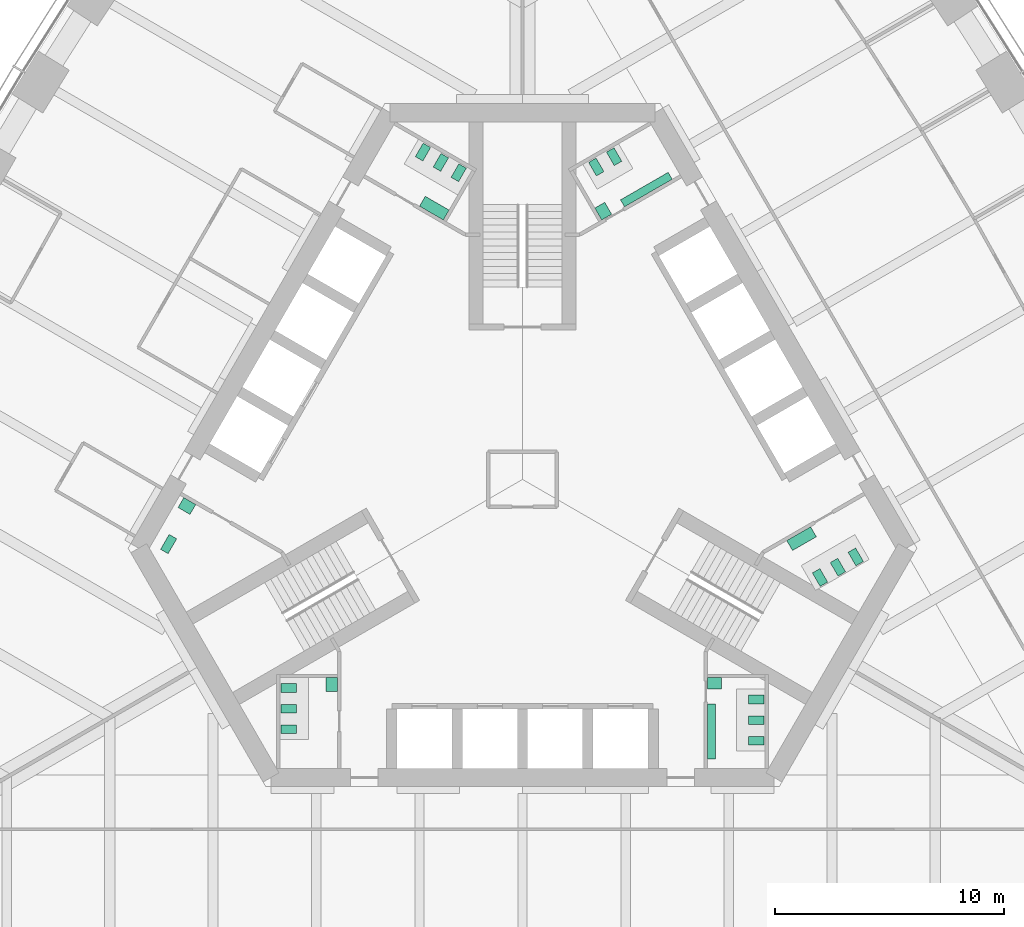
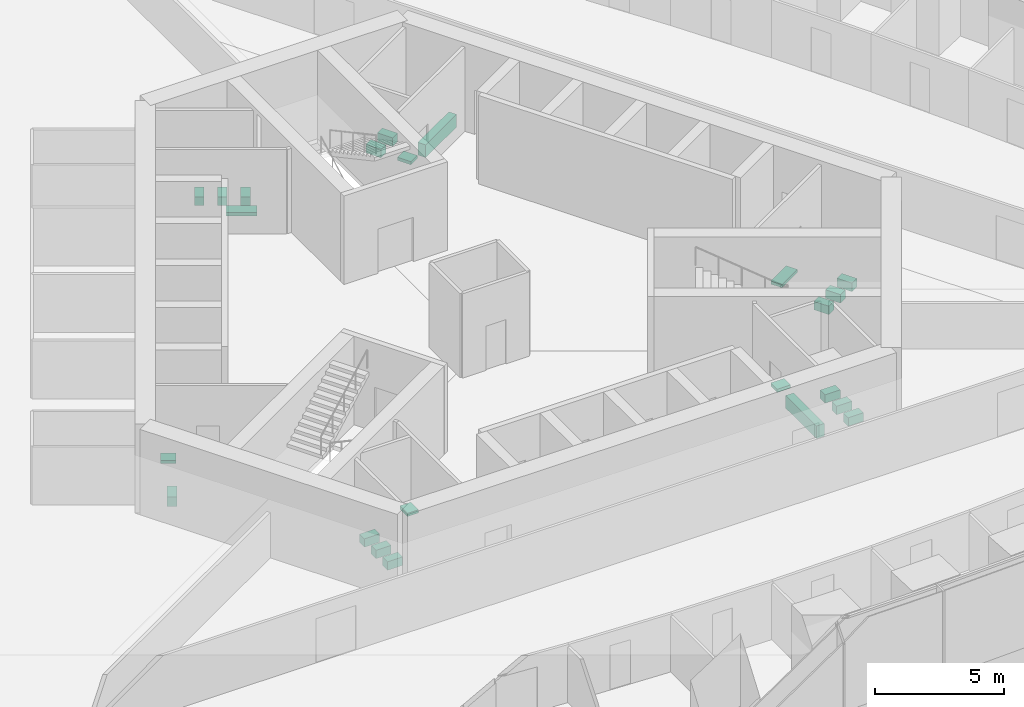
# One storey, part 17 of 18: 23 sanitary terminals.
"""IFC4 building model written with IfcOpenShell, lengths in metres."""

from ifc_helpers import new_model, si_unit, direction, frame, origin, place, context, subcontext, project, spatial, polyline, outline, extrude, material, type_object, element, save


model = new_model("IFC4")

# Units and contexts
model_context = context("Model", 3, precision=1e-05, world=origin(), true_north=direction((0.0, 1.0)))
body_context = subcontext(model_context, "Body", "Model", "MODEL_VIEW")
ifc_project = project(units=[si_unit("LENGTHUNIT", "METRE"), si_unit("AREAUNIT", "SQUARE_METRE"), si_unit("VOLUMEUNIT", "CUBIC_METRE"), si_unit("PLANEANGLEUNIT", "RADIAN"), si_unit("MASSUNIT", "GRAM", prefix="KILO")], contexts=[model_context])

# Site, building, storey
site_placement = place(None, origin())
site = spatial("IfcSite", under=ifc_project, at=site_placement, CompositionType="ELEMENT")
building_placement = place(site_placement, origin())
building = spatial("IfcBuilding", under=site, at=building_placement, Name="Trefoil Bronze Tower", CompositionType="ELEMENT")
storey_placement = place(building_placement, frame((0.0, 0.0, 62.699951171875)))
storey = spatial("IfcBuildingStorey", under=building, at=storey_placement, Name="L14", CompositionType="ELEMENT", Elevation=62.699951171875)

# Sanitary terminals
ifc_material_1 = material(Name="Vitreous china", Category="ceramic")
sanitary_terminal_type_1 = type_object("IfcSanitaryTerminalType", Name="Accessible WC pan", PredefinedType="TOILETPAN", material=ifc_material_1)
sanitary_terminal_1_placement = place(storey_placement, origin())
element("IfcSanitaryTerminal", 1, at=sanitary_terminal_1_placement, inside=storey, type_object=sanitary_terminal_type_1, Name="WC pan 1 Accessible WC L14", PredefinedType="TOILETPAN", context=body_context, shape_type="SweptSolid", body=[
    extrude(outline(polyline([(-15.085693359375, -2.589111328125), (-15.460693359375, -3.238525390625), (-15.789794921875, -3.048583984375), (-15.414794921875, -2.399169921875), (-15.085693359375, -2.589111328125)])), origin(), (0.0, 0.0, 1.0), 0.449951171875),
])
ifc_material_2 = material(Name="Vitreous china", Category="ceramic")
sanitary_terminal_type_2 = type_object("IfcSanitaryTerminalType", Name="Accessible basin", PredefinedType="WASHHANDBASIN", material=ifc_material_2)
sanitary_terminal_2_placement = place(storey_placement, frame((0.0, 0.0, 0.650146484375)))
element("IfcSanitaryTerminal", 2, at=sanitary_terminal_2_placement, inside=storey, type_object=sanitary_terminal_type_2, Name="Wash basin Accessible WC L14", PredefinedType="WASHHANDBASIN", context=body_context, shape_type="SweptSolid", body=[
    extrude(outline(polyline([(-14.256591796875, -1.09326171875), (-14.506591796875, -1.526123046875), (-15.026123046875, -1.22607421875), (-14.776123046875, -0.793212890625), (-14.256591796875, -1.09326171875)])), origin(), (0.0, 0.0, 1.0), 0.14990234375),
])
ifc_material_3 = material(Name="Vitreous china", Category="ceramic")
sanitary_terminal_type_3 = type_object("IfcSanitaryTerminalType", Name="Urinal range 4 urinals", PredefinedType="URINAL", material=ifc_material_3)
sanitary_terminal_3_placement = place(storey_placement, frame((0.0, 0.0, 0.400146484375)))
element("IfcSanitaryTerminal", 3, at=sanitary_terminal_3_placement, inside=storey, type_object=sanitary_terminal_type_3, Name="Urinal range WC (men) L14", PredefinedType="URINAL", context=body_context, shape_type="SweptSolid", body=[
    extrude(outline(polyline([(8.074951171875, -9.800048828125), (8.425048828125, -9.800048828125), (8.425048828125, -12.199951171875), (8.074951171875, -12.199951171875), (8.074951171875, -9.800048828125)])), origin(), (0.0, 0.0, 1.0), 0.599853515625),
])
sanitary_terminal_4_placement = place(storey_placement, frame((0.0, 0.0, 0.400146484375)))
element("IfcSanitaryTerminal", 4, at=sanitary_terminal_4_placement, inside=storey, type_object=sanitary_terminal_type_3, Name="Urinal range WC (men) L14", PredefinedType="URINAL", context=body_context, shape_type="SweptSolid", body=[
    extrude(outline(polyline([(4.449462890625, 11.89306640625), (4.274658203125, 12.1962890625), (6.35302734375, 13.396240234375), (6.528076171875, 13.09326171875), (4.449462890625, 11.89306640625)])), origin(), (0.0, 0.0, 1.0), 0.599853515625),
])
ifc_material_4 = material(Name="Solid surface vanity", Category="plastic")
sanitary_terminal_type_4 = type_object("IfcSanitaryTerminalType", Name="Vanity unit 1 basins", PredefinedType="WASHHANDBASIN", material=ifc_material_4)
sanitary_terminal_5_placement = place(storey_placement, frame((0.0, 0.0, 0.75)))
element("IfcSanitaryTerminal", 5, at=sanitary_terminal_5_placement, inside=storey, type_object=sanitary_terminal_type_4, Name="Vanity unit WC (men) L14", PredefinedType="WASHHANDBASIN", context=body_context, shape_type="SweptSolid", body=[
    extrude(outline(polyline([(8.074951171875, -8.64990234375), (8.675048828125, -8.64990234375), (8.675048828125, -9.14990234375), (8.074951171875, -9.14990234375), (8.074951171875, -8.64990234375)])), origin(), (0.0, 0.0, 1.0), 0.150146484375),
])
sanitary_terminal_6_placement = place(storey_placement, frame((0.0, 0.0, 0.75)))
element("IfcSanitaryTerminal", 6, at=sanitary_terminal_6_placement, inside=storey, type_object=sanitary_terminal_type_4, Name="Vanity unit WC (men) L14", PredefinedType="WASHHANDBASIN", context=body_context, shape_type="SweptSolid", body=[
    extrude(outline(polyline([(3.45361328125, 11.318115234375), (3.153564453125, 11.837890625), (3.586669921875, 12.087890625), (3.88671875, 11.568115234375), (3.45361328125, 11.318115234375)])), origin(), (0.0, 0.0, 1.0), 0.150146484375),
])
sanitary_terminal_7_placement = place(storey_placement, frame((0.0, 0.0, 0.75)))
element("IfcSanitaryTerminal", 7, at=sanitary_terminal_7_placement, inside=storey, type_object=sanitary_terminal_type_4, Name="Vanity unit WC (women) L14", PredefinedType="WASHHANDBASIN", context=body_context, shape_type="SweptSolid", body=[
    extrude(outline(polyline([(-8.074951171875, -8.64990234375), (-8.574951171875, -8.64990234375), (-8.574951171875, -9.25), (-8.074951171875, -9.25), (-8.074951171875, -8.64990234375)])), origin(), (0.0, 0.0, 1.0), 0.150146484375),
])
ifc_material_5 = material(Name="Solid surface vanity", Category="plastic")
sanitary_terminal_type_5 = type_object("IfcSanitaryTerminalType", Name="Vanity unit 2 basins", PredefinedType="WASHHANDBASIN", material=ifc_material_5)
sanitary_terminal_8_placement = place(storey_placement, frame((0.0, 0.0, 0.75)))
element("IfcSanitaryTerminal", 8, at=sanitary_terminal_8_placement, inside=storey, type_object=sanitary_terminal_type_5, Name="Vanity unit WC (women) L14", PredefinedType="WASHHANDBASIN", context=body_context, shape_type="SweptSolid", body=[
    extrude(outline(polyline([(11.528564453125, -2.668212890625), (11.778564453125, -3.10107421875), (12.81787109375, -2.501220703125), (12.56787109375, -2.068115234375), (11.528564453125, -2.668212890625)])), origin(), (0.0, 0.0, 1.0), 0.150146484375),
])
sanitary_terminal_9_placement = place(storey_placement, frame((0.0, 0.0, 0.75)))
element("IfcSanitaryTerminal", 9, at=sanitary_terminal_9_placement, inside=storey, type_object=sanitary_terminal_type_5, Name="Vanity unit WC (women) L14", PredefinedType="WASHHANDBASIN", context=body_context, shape_type="SweptSolid", body=[
    extrude(outline(polyline([(-3.45361328125, 11.318115234375), (-3.20361328125, 11.751220703125), (-4.242919921875, 12.35107421875), (-4.492919921875, 11.918212890625), (-3.45361328125, 11.318115234375)])), origin(), (0.0, 0.0, 1.0), 0.150146484375),
])
ifc_material_6 = material(Name="Vitreous china", Category="ceramic")
sanitary_terminal_type_6 = type_object("IfcSanitaryTerminalType", Name="WC pan", PredefinedType="TOILETPAN", material=ifc_material_6)
sanitary_terminal_10_placement = place(storey_placement, origin())
element("IfcSanitaryTerminal", 10, at=sanitary_terminal_10_placement, inside=storey, type_object=sanitary_terminal_type_6, Name="WC pan 1 WC (men) L14", PredefinedType="TOILETPAN", context=body_context, shape_type="SweptSolid", body=[
    extrude(outline(polyline([(9.85498046875, -9.409912109375), (10.534912109375, -9.409912109375), (10.534912109375, -9.7900390625), (9.85498046875, -9.7900390625), (9.85498046875, -9.409912109375)])), origin(), (0.0, 0.0, 1.0), 0.400146484375),
])
sanitary_terminal_11_placement = place(storey_placement, origin())
element("IfcSanitaryTerminal", 11, at=sanitary_terminal_11_placement, inside=storey, type_object=sanitary_terminal_type_6, Name="WC pan 2 WC (men) L14", PredefinedType="TOILETPAN", context=body_context, shape_type="SweptSolid", body=[
    extrude(outline(polyline([(9.85498046875, -10.31005859375), (10.534912109375, -10.31005859375), (10.534912109375, -10.68994140625), (9.85498046875, -10.68994140625), (9.85498046875, -10.31005859375)])), origin(), (0.0, 0.0, 1.0), 0.400146484375),
])
sanitary_terminal_12_placement = place(storey_placement, origin())
element("IfcSanitaryTerminal", 12, at=sanitary_terminal_12_placement, inside=storey, type_object=sanitary_terminal_type_6, Name="WC pan 3 WC (men) L14", PredefinedType="TOILETPAN", context=body_context, shape_type="SweptSolid", body=[
    extrude(outline(polyline([(9.85498046875, -11.2099609375), (10.534912109375, -11.2099609375), (10.534912109375, -11.590087890625), (9.85498046875, -11.590087890625), (9.85498046875, -11.2099609375)])), origin(), (0.0, 0.0, 1.0), 0.400146484375),
])
sanitary_terminal_13_placement = place(storey_placement, origin())
element("IfcSanitaryTerminal", 13, at=sanitary_terminal_13_placement, inside=storey, type_object=sanitary_terminal_type_6, Name="WC pan 1 WC (women) L14", PredefinedType="TOILETPAN", context=body_context, shape_type="SweptSolid", body=[
    extrude(outline(polyline([(12.643798828125, -4.07958984375), (12.98388671875, -4.66845703125), (13.31298828125, -4.478515625), (12.972900390625, -3.8896484375), (12.643798828125, -4.07958984375)])), origin(), (0.0, 0.0, 1.0), 0.400146484375),
])
sanitary_terminal_14_placement = place(storey_placement, origin())
element("IfcSanitaryTerminal", 14, at=sanitary_terminal_14_placement, inside=storey, type_object=sanitary_terminal_type_6, Name="WC pan 2 WC (women) L14", PredefinedType="TOILETPAN", context=body_context, shape_type="SweptSolid", body=[
    extrude(outline(polyline([(13.423095703125, -3.629638671875), (13.76318359375, -4.218505859375), (14.09228515625, -4.028564453125), (13.752197265625, -3.439697265625), (13.423095703125, -3.629638671875)])), origin(), (0.0, 0.0, 1.0), 0.400146484375),
])
sanitary_terminal_15_placement = place(storey_placement, origin())
element("IfcSanitaryTerminal", 15, at=sanitary_terminal_15_placement, inside=storey, type_object=sanitary_terminal_type_6, Name="WC pan 3 WC (women) L14", PredefinedType="TOILETPAN", context=body_context, shape_type="SweptSolid", body=[
    extrude(outline(polyline([(14.20263671875, -3.1796875), (14.542724609375, -3.7685546875), (14.871826171875, -3.57861328125), (14.53173828125, -2.98974609375), (14.20263671875, -3.1796875)])), origin(), (0.0, 0.0, 1.0), 0.400146484375),
])
sanitary_terminal_16_placement = place(storey_placement, origin())
element("IfcSanitaryTerminal", 16, at=sanitary_terminal_16_placement, inside=storey, type_object=sanitary_terminal_type_6, Name="WC pan 1 WC (men) L14", PredefinedType="TOILETPAN", context=body_context, shape_type="SweptSolid", body=[
    extrude(outline(polyline([(3.2216796875, 13.23974609375), (2.8818359375, 13.82861328125), (3.2109375, 14.0185546875), (3.55078125, 13.4296875), (3.2216796875, 13.23974609375)])), origin(), (0.0, 0.0, 1.0), 0.400146484375),
])
sanitary_terminal_17_placement = place(storey_placement, origin())
element("IfcSanitaryTerminal", 17, at=sanitary_terminal_17_placement, inside=storey, type_object=sanitary_terminal_type_6, Name="WC pan 2 WC (men) L14", PredefinedType="TOILETPAN", context=body_context, shape_type="SweptSolid", body=[
    extrude(outline(polyline([(4.001220703125, 13.689697265625), (3.6611328125, 14.278564453125), (3.990234375, 14.468505859375), (4.330322265625, 13.879638671875), (4.001220703125, 13.689697265625)])), origin(), (0.0, 0.0, 1.0), 0.400146484375),
])
sanitary_terminal_18_placement = place(storey_placement, origin())
element("IfcSanitaryTerminal", 18, at=sanitary_terminal_18_placement, inside=storey, type_object=sanitary_terminal_type_6, Name="WC pan 1 WC (women) L14", PredefinedType="TOILETPAN", context=body_context, shape_type="SweptSolid", body=[
    extrude(outline(polyline([(-2.788818359375, 12.98974609375), (-2.44873046875, 13.57861328125), (-2.77783203125, 13.7685546875), (-3.117919921875, 13.1796875), (-2.788818359375, 12.98974609375)])), origin(), (0.0, 0.0, 1.0), 0.400146484375),
])
sanitary_terminal_19_placement = place(storey_placement, origin())
element("IfcSanitaryTerminal", 19, at=sanitary_terminal_19_placement, inside=storey, type_object=sanitary_terminal_type_6, Name="WC pan 2 WC (women) L14", PredefinedType="TOILETPAN", context=body_context, shape_type="SweptSolid", body=[
    extrude(outline(polyline([(-3.568115234375, 13.439697265625), (-3.228271484375, 14.028564453125), (-3.557373046875, 14.218505859375), (-3.897216796875, 13.629638671875), (-3.568115234375, 13.439697265625)])), origin(), (0.0, 0.0, 1.0), 0.400146484375),
])
sanitary_terminal_20_placement = place(storey_placement, origin())
element("IfcSanitaryTerminal", 20, at=sanitary_terminal_20_placement, inside=storey, type_object=sanitary_terminal_type_6, Name="WC pan 3 WC (women) L14", PredefinedType="TOILETPAN", context=body_context, shape_type="SweptSolid", body=[
    extrude(outline(polyline([(-4.34765625, 13.8896484375), (-4.007568359375, 14.478515625), (-4.336669921875, 14.66845703125), (-4.6767578125, 14.07958984375), (-4.34765625, 13.8896484375)])), origin(), (0.0, 0.0, 1.0), 0.400146484375),
])
sanitary_terminal_21_placement = place(storey_placement, origin())
element("IfcSanitaryTerminal", 21, at=sanitary_terminal_21_placement, inside=storey, type_object=sanitary_terminal_type_6, Name="WC pan 1 WC (women) L14", PredefinedType="TOILETPAN", context=body_context, shape_type="SweptSolid", body=[
    extrude(outline(polyline([(-9.85498046875, -8.909912109375), (-10.534912109375, -8.909912109375), (-10.534912109375, -9.2900390625), (-9.85498046875, -9.2900390625), (-9.85498046875, -8.909912109375)])), origin(), (0.0, 0.0, 1.0), 0.400146484375),
])
sanitary_terminal_22_placement = place(storey_placement, origin())
element("IfcSanitaryTerminal", 22, at=sanitary_terminal_22_placement, inside=storey, type_object=sanitary_terminal_type_6, Name="WC pan 2 WC (women) L14", PredefinedType="TOILETPAN", context=body_context, shape_type="SweptSolid", body=[
    extrude(outline(polyline([(-9.85498046875, -9.81005859375), (-10.534912109375, -9.81005859375), (-10.534912109375, -10.18994140625), (-9.85498046875, -10.18994140625), (-9.85498046875, -9.81005859375)])), origin(), (0.0, 0.0, 1.0), 0.400146484375),
])
sanitary_terminal_23_placement = place(storey_placement, origin())
element("IfcSanitaryTerminal", 23, at=sanitary_terminal_23_placement, inside=storey, type_object=sanitary_terminal_type_6, Name="WC pan 3 WC (women) L14", PredefinedType="TOILETPAN", context=body_context, shape_type="SweptSolid", body=[
    extrude(outline(polyline([(-9.85498046875, -10.7099609375), (-10.534912109375, -10.7099609375), (-10.534912109375, -11.090087890625), (-9.85498046875, -11.090087890625), (-9.85498046875, -10.7099609375)])), origin(), (0.0, 0.0, 1.0), 0.400146484375),
])

save(model, "model.ifc")
